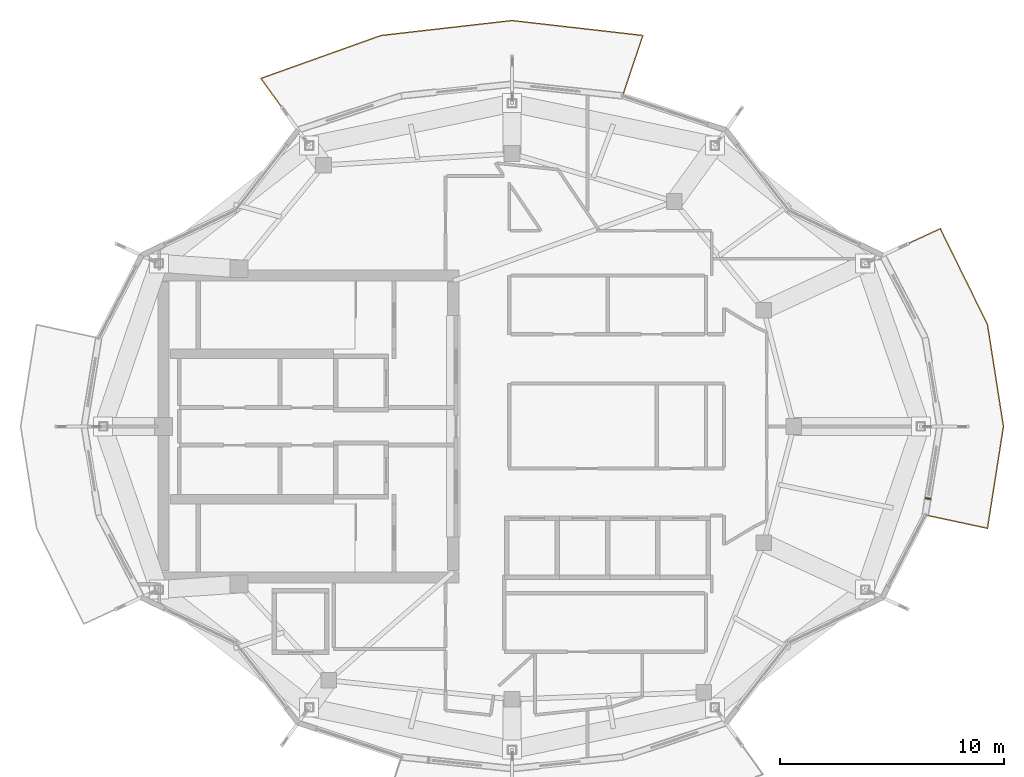
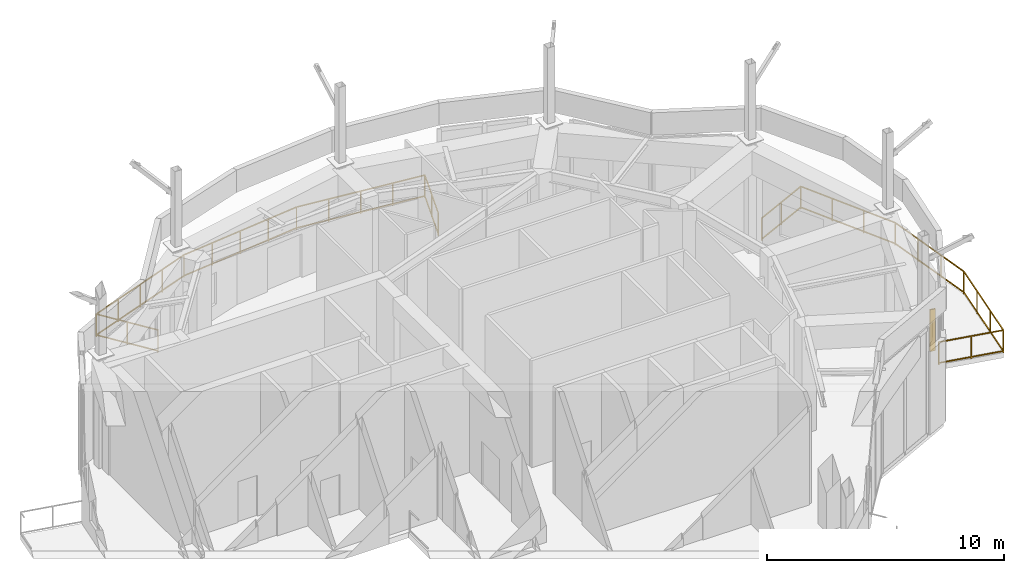
# One storey, part 13 of 13: 2 railings, 1 shading device.
"""IFC4 building model written with IfcOpenShell, lengths in metres."""

from ifc_helpers import new_model, si_unit, direction, frame, origin, origin_2d, place, context, subcontext, project, spatial, rectangle, extrude, material, type_object, element, save


model = new_model("IFC4")

# Units and contexts
model_context = context("Model", 3, precision=1e-05, world=origin(), true_north=direction((0.0, 1.0)))
body_context = subcontext(model_context, "Body", "Model", "MODEL_VIEW")
ifc_project = project(units=[si_unit("LENGTHUNIT", "METRE"), si_unit("AREAUNIT", "SQUARE_METRE"), si_unit("VOLUMEUNIT", "CUBIC_METRE"), si_unit("PLANEANGLEUNIT", "RADIAN"), si_unit("MASSUNIT", "GRAM", prefix="KILO")], contexts=[model_context])

# Site, building, storey
site_placement = place(None, origin())
site = spatial("IfcSite", under=ifc_project, at=site_placement, CompositionType="ELEMENT")
building_placement = place(site_placement, origin())
building = spatial("IfcBuilding", under=site, at=building_placement, Name="Kolvaren Gate Tower and Convention Centre", CompositionType="ELEMENT")
storey_placement = place(building_placement, frame((0.0, 0.0, 281.60009765625)))
storey = spatial("IfcBuildingStorey", under=building, at=storey_placement, Name="L76", CompositionType="ELEMENT", Elevation=281.60009765625)

# Railings
ifc_material_1 = material(Name="Laminated Tempered Safety Glass Balustrade 21.5 mm", Category="glass")
railing_type = type_object("IfcRailingType", Name="ARCH-RL-BALUST-1180", PredefinedType="BALUSTRADE", material=ifc_material_1)
railing_1_placement = place(storey_placement, frame((48.598388671875, 23.0400390625, 0.0)))
element("IfcRailing", 1, at=railing_1_placement, inside=storey, type_object=railing_type, Name="Tower L76 Terrace Perimeter Guardrail GR-1", PredefinedType="BALUSTRADE", context=body_context, shape_type="SweptSolid", body=[
    extrude(rectangle(XDim=0.048095703125, YDim=0.048095703125, at=origin_2d()), frame((0.02734375, -0.005859375, 1.15576171875), z_axis=(0.977782351409, -0.209622692649, 0.0), x_axis=(0.209622692649, 0.977782351409, 0.0)), (0.0, 0.0, 1.0), 2.7939453125),
    extrude(rectangle(XDim=0.048095703125, YDim=0.048095703125, at=origin_2d()), frame((0.02734375, -0.005859375, 0.083984375), z_axis=(0.977782351409, -0.209622692649, 0.0), x_axis=(0.209622692649, 0.977782351409, 0.0)), (0.0, 0.0, 1.0), 2.7939453125),
    extrude(rectangle(XDim=0.048095703125, YDim=0.048095703125, at=origin_2d()), frame((2.791015625, -0.56982421875, 1.15576171875), z_axis=(0.155011318424, 0.987912694098, 0.0), x_axis=(-0.987912694098, 0.155011318424, 0.0)), (0.0, 0.0, 1.0), 4.55712890625),
    extrude(rectangle(XDim=0.048095703125, YDim=0.048095703125, at=origin_2d()), frame((2.791015625, -0.56982421875, 0.083984375), z_axis=(0.155011318424, 0.987912694098, 0.0), x_axis=(-0.987912694098, 0.155011318424, 0.0)), (0.0, 0.0, 1.0), 4.55712890625),
    extrude(rectangle(XDim=0.048095703125, YDim=0.048095703125, at=origin_2d()), frame((3.497314453125, 3.987548828125, 1.15576171875), z_axis=(-0.155011318424, 0.987912694098, 0.0), x_axis=(-0.987912694098, -0.155011318424, 0.0)), (0.0, 0.0, 1.0), 4.55712890625),
    extrude(rectangle(XDim=0.048095703125, YDim=0.048095703125, at=origin_2d()), frame((3.497314453125, 3.987548828125, 0.083984375), z_axis=(-0.155011318424, 0.987912694098, 0.0), x_axis=(-0.987912694098, -0.155011318424, 0.0)), (0.0, 0.0, 1.0), 4.55712890625),
    extrude(rectangle(XDim=0.048095703125, YDim=0.048095703125, at=origin_2d()), frame((2.774169921875, 8.54248046875, 1.15576171875), z_axis=(-0.441564449568, 0.897229534109, 0.0), x_axis=(-0.897229534109, -0.441564449568, 0.0)), (0.0, 0.0, 1.0), 4.72265625),
    extrude(rectangle(XDim=0.048095703125, YDim=0.048095703125, at=origin_2d()), frame((2.774169921875, 8.54248046875, 0.083984375), z_axis=(-0.441564449568, 0.897229534109, 0.0), x_axis=(-0.897229534109, -0.441564449568, 0.0)), (0.0, 0.0, 1.0), 4.72265625),
    extrude(rectangle(XDim=0.048095703125, YDim=0.048095703125, at=origin_2d()), frame((0.651123046875, 12.793212890625, 1.15576171875), z_axis=(-0.907826448585, -0.419346085291, 0.0), x_axis=(0.419346085291, -0.907826448585, 0.0)), (0.0, 0.0, 1.0), 2.793701171875),
    extrude(rectangle(XDim=0.048095703125, YDim=0.048095703125, at=origin_2d()), frame((0.651123046875, 12.793212890625, 0.083984375), z_axis=(-0.907826448585, -0.419346085291, 0.0), x_axis=(0.419346085291, -0.907826448585, 0.0)), (0.0, 0.0, 1.0), 2.793701171875),
    extrude(rectangle(XDim=0.0419921875, YDim=0.0419921875, at=origin_2d()), origin(), (0.0, 0.0, 1.0), 1.179931640625),
    extrude(rectangle(XDim=0.0419921875, YDim=0.0419921875, at=origin_2d()), frame((2.78662109375, -0.597412109375, 0.0)), (0.0, 0.0, 1.0), 1.179931640625),
    extrude(rectangle(XDim=0.0419921875, YDim=0.0419921875, at=origin_2d()), frame((1.393310546875, -0.298828125, 0.0)), (0.0, 0.0, 1.0), 1.1298828125),
    extrude(rectangle(XDim=0.0419921875, YDim=0.0419921875, at=origin_2d()), frame((3.501708984375, 3.9599609375, 0.0)), (0.0, 0.0, 1.0), 1.179931640625),
    extrude(rectangle(XDim=0.0419921875, YDim=0.0419921875, at=origin_2d()), frame((3.02490234375, 0.921630859375, 0.0)), (0.0, 0.0, 1.0), 1.1298828125),
    extrude(rectangle(XDim=0.0419921875, YDim=0.0419921875, at=origin_2d()), frame((3.263427734375, 2.44091796875, 0.0)), (0.0, 0.0, 1.0), 1.1298828125),
    extrude(rectangle(XDim=0.0419921875, YDim=0.0419921875, at=origin_2d()), frame((2.78662109375, 8.517333984375, 0.0)), (0.0, 0.0, 1.0), 1.179931640625),
    extrude(rectangle(XDim=0.0419921875, YDim=0.0419921875, at=origin_2d()), frame((3.263427734375, 5.47900390625, 0.0)), (0.0, 0.0, 1.0), 1.1298828125),
    extrude(rectangle(XDim=0.0419921875, YDim=0.0419921875, at=origin_2d()), frame((3.02490234375, 6.998291015625, 0.0)), (0.0, 0.0, 1.0), 1.1298828125),
    extrude(rectangle(XDim=0.0419921875, YDim=0.0419921875, at=origin_2d()), frame((0.676513671875, 12.804931640625, 0.0)), (0.0, 0.0, 1.0), 1.179931640625),
    extrude(rectangle(XDim=0.0419921875, YDim=0.0419921875, at=origin_2d()), frame((2.083251953125, 9.946533203125, 0.0)), (0.0, 0.0, 1.0), 1.1298828125),
    extrude(rectangle(XDim=0.0419921875, YDim=0.0419921875, at=origin_2d()), frame((1.3798828125, 11.375732421875, 0.0)), (0.0, 0.0, 1.0), 1.1298828125),
    extrude(rectangle(XDim=0.0419921875, YDim=0.0419921875, at=origin_2d()), frame((-1.91064453125, 11.60986328125, 0.0)), (0.0, 0.0, 1.0), 1.179931640625),
    extrude(rectangle(XDim=0.0419921875, YDim=0.0419921875, at=origin_2d()), frame((-0.6171875, 12.20751953125, 0.0)), (0.0, 0.0, 1.0), 1.1298828125),
])
railing_2_placement = place(storey_placement, frame((35.074951171875, 41.77880859375, 0.0)))
element("IfcRailing", 2, at=railing_2_placement, inside=storey, type_object=railing_type, Name="Tower L76 Terrace Perimeter Guardrail GR-2", PredefinedType="BALUSTRADE", context=body_context, shape_type="SweptSolid", body=[
    extrude(rectangle(XDim=0.048095703125, YDim=0.048095703125, at=origin_2d()), frame((0.0087890625, 0.026611328125, 1.15576171875), z_axis=(0.317563841774, 0.948236893607, 0.0), x_axis=(-0.948236893607, 0.317563841774, 0.0)), (0.0, 0.0, 1.0), 2.793701171875),
    extrude(rectangle(XDim=0.048095703125, YDim=0.048095703125, at=origin_2d()), frame((0.0087890625, 0.026611328125, 0.083984375), z_axis=(0.317563841774, 0.948236893607, 0.0), x_axis=(-0.948236893607, 0.317563841774, 0.0)), (0.0, 0.0, 1.0), 2.793701171875),
    extrude(rectangle(XDim=0.048095703125, YDim=0.048095703125, at=origin_2d()), frame((0.877197265625, 2.70556640625, 1.15576171875), z_axis=(-0.993541082509, 0.113472980777, 0.0), x_axis=(-0.113472980777, -0.993541082509, 0.0)), (0.0, 0.0, 1.0), 5.8369140625),
    extrude(rectangle(XDim=0.048095703125, YDim=0.048095703125, at=origin_2d()), frame((0.877197265625, 2.70556640625, 0.083984375), z_axis=(-0.993541082509, 0.113472980777, 0.0), x_axis=(-0.113472980777, -0.993541082509, 0.0)), (0.0, 0.0, 1.0), 5.8369140625),
    extrude(rectangle(XDim=0.048095703125, YDim=0.048095703125, at=origin_2d()), frame((-4.977783203125, 3.367919921875, 1.15576171875), z_axis=(-0.993541082509, -0.113472980777, 0.0), x_axis=(0.113472980777, -0.993541082509, 0.0)), (0.0, 0.0, 1.0), 5.8369140625),
    extrude(rectangle(XDim=0.048095703125, YDim=0.048095703125, at=origin_2d()), frame((-4.977783203125, 3.367919921875, 0.083984375), z_axis=(-0.993541082509, -0.113472980777, 0.0), x_axis=(0.113472980777, -0.993541082509, 0.0)), (0.0, 0.0, 1.0), 5.8369140625),
    extrude(rectangle(XDim=0.048095703125, YDim=0.048095703125, at=origin_2d()), frame((-10.831298828125, 2.69287109375, 1.15576171875), z_axis=(-0.94173126628, -0.33636620239, 0.0), x_axis=(0.33636620239, -0.94173126628, 0.0)), (0.0, 0.0, 1.0), 5.65185546875),
    extrude(rectangle(XDim=0.048095703125, YDim=0.048095703125, at=origin_2d()), frame((-10.831298828125, 2.69287109375, 0.083984375), z_axis=(-0.94173126628, -0.33636620239, 0.0), x_axis=(0.33636620239, -0.94173126628, 0.0)), (0.0, 0.0, 1.0), 5.65185546875),
    extrude(rectangle(XDim=0.048095703125, YDim=0.048095703125, at=origin_2d()), frame((-16.163818359375, 0.759765625, 1.15576171875), z_axis=(0.585177737383, -0.810905059591, 0.0), x_axis=(0.810905059591, 0.585177737383, 0.0)), (0.0, 0.0, 1.0), 2.7939453125),
    extrude(rectangle(XDim=0.048095703125, YDim=0.048095703125, at=origin_2d()), frame((-16.163818359375, 0.759765625, 0.083984375), z_axis=(0.585177737383, -0.810905059591, 0.0), x_axis=(0.810905059591, 0.585177737383, 0.0)), (0.0, 0.0, 1.0), 2.7939453125),
    extrude(rectangle(XDim=0.0419921875, YDim=0.0419921875, at=origin_2d()), origin(), (0.0, 0.0, 1.0), 1.179931640625),
    extrude(rectangle(XDim=0.0419921875, YDim=0.0419921875, at=origin_2d()), frame((0.905029296875, 2.702392578125, 0.0)), (0.0, 0.0, 1.0), 1.179931640625),
    extrude(rectangle(XDim=0.0419921875, YDim=0.0419921875, at=origin_2d()), frame((0.45263671875, 1.35107421875, 0.0)), (0.0, 0.0, 1.0), 1.1298828125),
    extrude(rectangle(XDim=0.0419921875, YDim=0.0419921875, at=origin_2d()), frame((-4.949951171875, 3.37109375, 0.0)), (0.0, 0.0, 1.0), 1.179931640625),
    extrude(rectangle(XDim=0.0419921875, YDim=0.0419921875, at=origin_2d()), frame((-0.55859375, 2.86962890625, 0.0)), (0.0, 0.0, 1.0), 1.1298828125),
    extrude(rectangle(XDim=0.0419921875, YDim=0.0419921875, at=origin_2d()), frame((-2.0224609375, 3.03662109375, 0.0)), (0.0, 0.0, 1.0), 1.1298828125),
    extrude(rectangle(XDim=0.0419921875, YDim=0.0419921875, at=origin_2d()), frame((-3.486328125, 3.203857421875, 0.0)), (0.0, 0.0, 1.0), 1.1298828125),
    extrude(rectangle(XDim=0.0419921875, YDim=0.0419921875, at=origin_2d()), frame((-10.804931640625, 2.702392578125, 0.0)), (0.0, 0.0, 1.0), 1.179931640625),
    extrude(rectangle(XDim=0.0419921875, YDim=0.0419921875, at=origin_2d()), frame((-6.41357421875, 3.203857421875, 0.0)), (0.0, 0.0, 1.0), 1.1298828125),
    extrude(rectangle(XDim=0.0419921875, YDim=0.0419921875, at=origin_2d()), frame((-7.87744140625, 3.03662109375, 0.0)), (0.0, 0.0, 1.0), 1.1298828125),
    extrude(rectangle(XDim=0.0419921875, YDim=0.0419921875, at=origin_2d()), frame((-9.34130859375, 2.86962890625, 0.0)), (0.0, 0.0, 1.0), 1.1298828125),
    extrude(rectangle(XDim=0.0419921875, YDim=0.0419921875, at=origin_2d()), frame((-16.18017578125, 0.782470703125, 0.0)), (0.0, 0.0, 1.0), 1.179931640625),
    extrude(rectangle(XDim=0.0419921875, YDim=0.0419921875, at=origin_2d()), frame((-12.148681640625, 2.222412109375, 0.0)), (0.0, 0.0, 1.0), 1.1298828125),
    extrude(rectangle(XDim=0.0419921875, YDim=0.0419921875, at=origin_2d()), frame((-13.49267578125, 1.742431640625, 0.0)), (0.0, 0.0, 1.0), 1.1298828125),
    extrude(rectangle(XDim=0.0419921875, YDim=0.0419921875, at=origin_2d()), frame((-14.83642578125, 1.262451171875, 0.0)), (0.0, 0.0, 1.0), 1.1298828125),
    extrude(rectangle(XDim=0.0419921875, YDim=0.0419921875, at=origin_2d()), frame((-14.512451171875, -1.528564453125, 0.0)), (0.0, 0.0, 1.0), 1.179931640625),
    extrude(rectangle(XDim=0.0419921875, YDim=0.0419921875, at=origin_2d()), frame((-15.34619140625, -0.373046875, 0.0)), (0.0, 0.0, 1.0), 1.1298828125),
])

# Shading device
ifc_material_2 = material(Name="Kiln-Fired Bogota Terracotta Ceramic Louvre Profile", Category="masonry")
shading_device_type = type_object("IfcShadingDeviceType", Name="ARCH-SHD-FIN-180", PredefinedType="JALOUSIE", material=ifc_material_2)
shading_device_placement = place(storey_placement, frame((48.719482421875, 23.777099609375, 0.219970703125), z_axis=(0.0, 0.0, 1.0), x_axis=(0.162390900999, 0.986726504799, 0.0)))
element("IfcShadingDevice", 3, at=shading_device_placement, inside=storey, type_object=shading_device_type, Name="Ceramic Vertical Brise-Soleil Fin FN-L76-23", PredefinedType="JALOUSIE", context=body_context, shape_type="SweptSolid", body=[
    extrude(rectangle(XDim=0.06005859375, YDim=0.239990234375, at=origin_2d()), origin(), (0.0, 0.0, 1.0), 2.14990234375),
])

save(model, "model.ifc")
